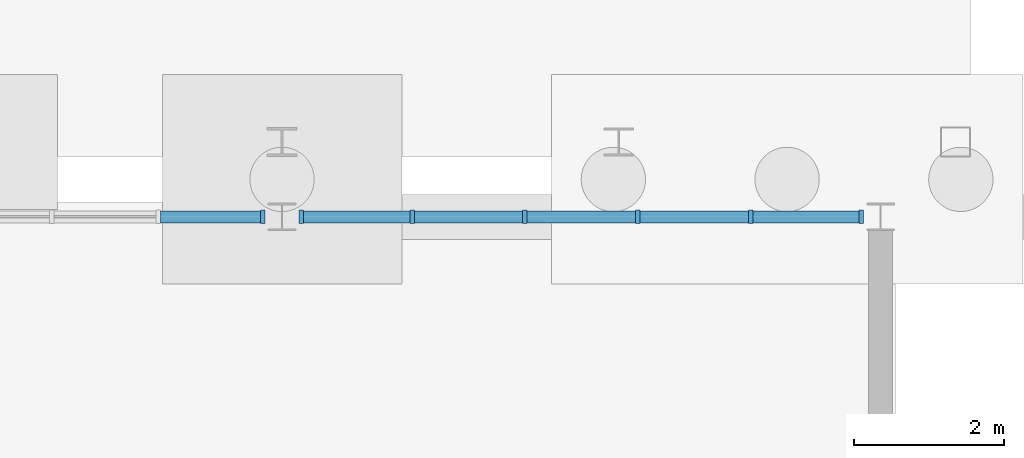
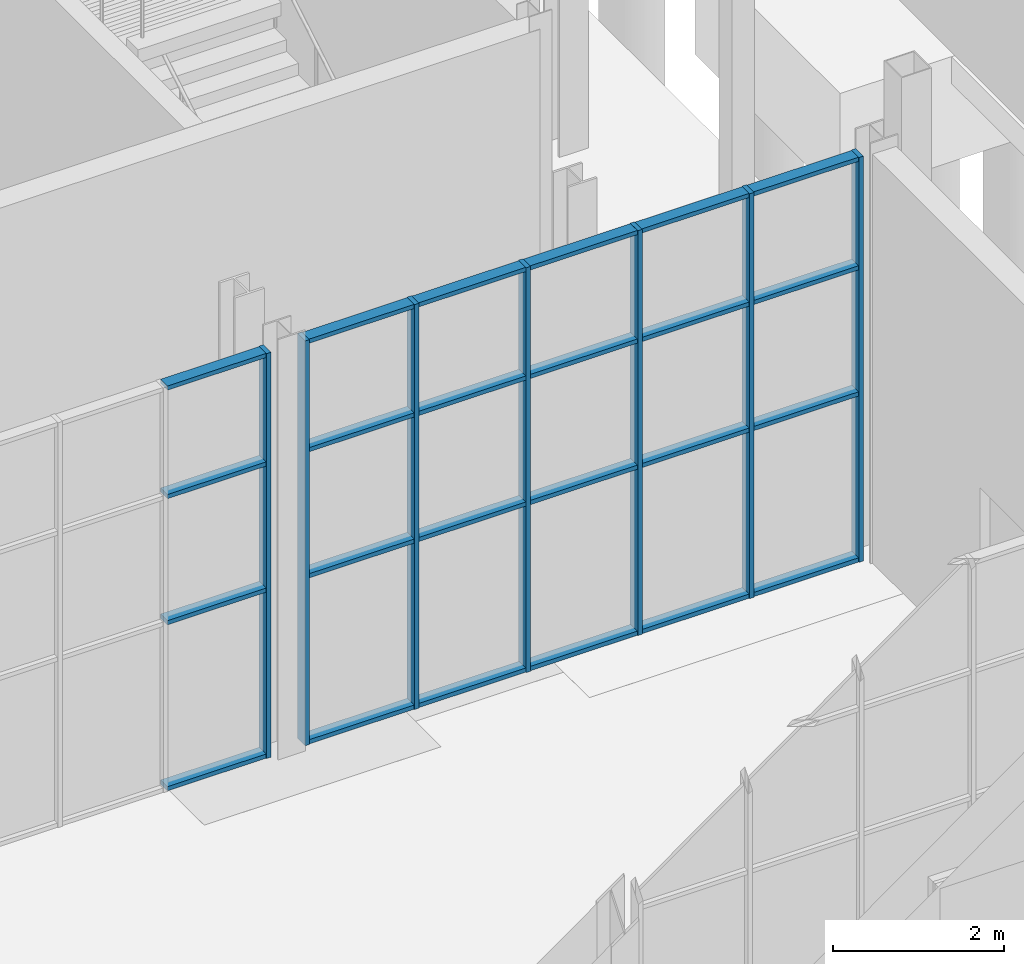
# One storey, part 66 of 131: 31 members, 2 elements without a shape of their own.
"""IFC4 building model written with IfcOpenShell, lengths in metres."""

from ifc_helpers import new_model, si_unit, direction, frame, origin, origin_2d, place, context, subcontext, project, spatial, rectangle, extrude, material, layer, layer_set, material_profile, profile_set, type_object, element, aggregate, save


model = new_model("IFC4")

# Units and contexts
model_context = context("Model", 3, precision=1e-05, world=origin(), true_north=direction((0.0, 1.0)))
body_context = subcontext(model_context, "Body", "Model", "MODEL_VIEW")
ifc_project = project(units=[si_unit("LENGTHUNIT", "METRE"), si_unit("AREAUNIT", "SQUARE_METRE"), si_unit("VOLUMEUNIT", "CUBIC_METRE"), si_unit("PLANEANGLEUNIT", "RADIAN"), si_unit("MASSUNIT", "GRAM", prefix="KILO")], contexts=[model_context])

# Site, building, storey
site_placement = place(None, origin())
site = spatial("IfcSite", under=ifc_project, at=site_placement, CompositionType="ELEMENT")
building_placement = place(site_placement, origin())
building = spatial("IfcBuilding", under=site, at=building_placement, Name="Cazmaro Siding Exhibition Halls", CompositionType="ELEMENT")
storey_placement = place(building_placement, origin())
storey = spatial("IfcBuildingStorey", under=building, at=storey_placement, Name="L00", CompositionType="ELEMENT", Elevation=0.0)

# Curtain wall, member
ifc_material_1 = material(Name="Anodized Bronze Aluminum and Solar-Control Low-E Glazing", Category="aluminium")
ifc_layer = layer(ifc_material_1, 0.179931640625)
ifc_layer_set = layer_set([ifc_layer], Name="Anodized Bronze Aluminum and Solar-Control Low-E Glazing")
curtain_wall_type = type_object("IfcCurtainWallType", Name="CWS-01", PredefinedType="USERDEFINED", material=ifc_layer_set)
curtain_wall_1_placement = place(storey_placement, origin())
curtain_wall_1 = element("IfcCurtainWall", 1, at=curtain_wall_1_placement, inside=storey, type_object=curtain_wall_type, Name="Glazed Curtain Wall CWS-01 CW-205", ObjectType="GLAZED CURTAIN WALL", PredefinedType="USERDEFINED")
ifc_material_2 = material(Name="Anodized Bronze Extruded Aluminum", Category="aluminium")
ifc_material_profile_1 = material_profile(ifc_material_2, rectangle(XDim=0.179931640625, YDim=0.06005859375, at=origin_2d()), Name="CWM-01")
ifc_profile_set_1 = profile_set([ifc_material_profile_1], Name="Anodized Bronze Extruded Aluminum")
member_type_1 = type_object("IfcMemberType", Name="CWM-01", PredefinedType="MULLION", material=ifc_profile_set_1)
member_1_placement = place(storey_placement, frame((161.739990234375, 63.0, 0.0), z_axis=(0.0, 0.0, 1.0), x_axis=(0.0, -1.0, 0.0)))
member_1 = element("IfcMember", 2, at=member_1_placement, type_object=member_type_1, Name="CWS-01 mullion 1", PredefinedType="MULLION", context=body_context, shape_type="SweptSolid", body=[
    extrude(rectangle(XDim=0.179931640625, YDim=0.06005859375, at=origin_2d()), origin(), (0.0, 0.0, 1.0), 5.780029296875),
])

# Curtain wall, members
curtain_wall_2_placement = place(storey_placement, origin())
curtain_wall_2 = element("IfcCurtainWall", 3, at=curtain_wall_2_placement, inside=storey, type_object=curtain_wall_type, Name="Glazed Curtain Wall CWS-01 CW-207", ObjectType="GLAZED CURTAIN WALL", PredefinedType="USERDEFINED")
member_2_placement = place(storey_placement, frame((169.739990234375, 63.0, 0.0), z_axis=(0.0, 0.0, 1.0), x_axis=(0.0, -1.0, 0.0)))
member_2 = element("IfcMember", 4, at=member_2_placement, type_object=member_type_1, Name="CWS-01 mullion 1", PredefinedType="MULLION", context=body_context, shape_type="SweptSolid", body=[
    extrude(rectangle(XDim=0.179931640625, YDim=0.06005859375, at=origin_2d()), origin(), (0.0, 0.0, 1.0), 5.780029296875),
])
member_3_placement = place(storey_placement, frame((168.261962890625, 63.0, 0.0), z_axis=(0.0, 0.0, 1.0), x_axis=(0.0, -1.0, 0.0)))
member_3 = element("IfcMember", 5, at=member_3_placement, type_object=member_type_1, Name="CWS-01 mullion 2", PredefinedType="MULLION", context=body_context, shape_type="SweptSolid", body=[
    extrude(rectangle(XDim=0.179931640625, YDim=0.06005859375, at=origin_2d()), origin(), (0.0, 0.0, 1.0), 5.780029296875),
])
member_4_placement = place(storey_placement, frame((166.75390625, 63.0, 0.0), z_axis=(0.0, 0.0, 1.0), x_axis=(0.0, -1.0, 0.0)))
member_4 = element("IfcMember", 6, at=member_4_placement, type_object=member_type_1, Name="CWS-01 mullion 3", PredefinedType="MULLION", context=body_context, shape_type="SweptSolid", body=[
    extrude(rectangle(XDim=0.179931640625, YDim=0.06005859375, at=origin_2d()), origin(), (0.0, 0.0, 1.0), 5.780029296875),
])
member_5_placement = place(storey_placement, frame((165.24609375, 63.0, 0.0), z_axis=(0.0, 0.0, 1.0), x_axis=(0.0, -1.0, 0.0)))
member_5 = element("IfcMember", 7, at=member_5_placement, type_object=member_type_1, Name="CWS-01 mullion 4", PredefinedType="MULLION", context=body_context, shape_type="SweptSolid", body=[
    extrude(rectangle(XDim=0.179931640625, YDim=0.06005859375, at=origin_2d()), origin(), (0.0, 0.0, 1.0), 5.780029296875),
])
member_6_placement = place(storey_placement, frame((163.738037109375, 63.0, 0.0), z_axis=(0.0, 0.0, 1.0), x_axis=(0.0, -1.0, 0.0)))
member_6 = element("IfcMember", 8, at=member_6_placement, type_object=member_type_1, Name="CWS-01 mullion 5", PredefinedType="MULLION", context=body_context, shape_type="SweptSolid", body=[
    extrude(rectangle(XDim=0.179931640625, YDim=0.06005859375, at=origin_2d()), origin(), (0.0, 0.0, 1.0), 5.780029296875),
])
member_7_placement = place(storey_placement, frame((162.260009765625, 63.0, 0.0), z_axis=(0.0, 0.0, 1.0), x_axis=(0.0, -1.0, 0.0)))
member_7 = element("IfcMember", 9, at=member_7_placement, type_object=member_type_1, Name="CWS-01 mullion 6", PredefinedType="MULLION", context=body_context, shape_type="SweptSolid", body=[
    extrude(rectangle(XDim=0.179931640625, YDim=0.06005859375, at=origin_2d()), origin(), (0.0, 0.0, 1.0), 5.780029296875),
])

# Member
ifc_material_3 = material(Name="Anodized Bronze Extruded Aluminum", Category="aluminium")
ifc_material_profile_2 = material_profile(ifc_material_3, rectangle(XDim=0.159912109375, YDim=0.06005859375, at=origin_2d()), Name="CWT-01")
ifc_profile_set_2 = profile_set([ifc_material_profile_2], Name="Anodized Bronze Extruded Aluminum")
member_type_2 = type_object("IfcMemberType", Name="CWT-01", PredefinedType="MULLION", material=ifc_profile_set_2)
member_8_placement = place(storey_placement, frame((161.7099609375, 63.0, 0.030029296875), z_axis=(-1.0, 0.0, 0.0), x_axis=(0.0, -1.0, 0.0)))
member_8 = element("IfcMember", 10, at=member_8_placement, type_object=member_type_2, Name="CWS-01 transom 1.1", ObjectType="TRANSOM", PredefinedType="USERDEFINED", context=body_context, shape_type="SweptSolid", body=[
    extrude(rectangle(XDim=0.159912109375, YDim=0.06005859375, at=origin_2d()), origin(), (0.0, 0.0, 1.0), 1.333251953125),
])

member_9_placement = place(storey_placement, frame((161.7099609375, 63.0, 2.39990234375), z_axis=(-1.0, 0.0, 0.0), x_axis=(0.0, -1.0, 0.0)))
member_9 = element("IfcMember", 11, at=member_9_placement, type_object=member_type_2, Name="CWS-01 transom 1.2", ObjectType="TRANSOM", PredefinedType="USERDEFINED", context=body_context, shape_type="SweptSolid", body=[
    extrude(rectangle(XDim=0.159912109375, YDim=0.06005859375, at=origin_2d()), origin(), (0.0, 0.0, 1.0), 1.333251953125),
])

member_10_placement = place(storey_placement, frame((161.7099609375, 63.0, 4.199951171875), z_axis=(-1.0, 0.0, 0.0), x_axis=(0.0, -1.0, 0.0)))
member_10 = element("IfcMember", 12, at=member_10_placement, type_object=member_type_2, Name="CWS-01 transom 1.3", ObjectType="TRANSOM", PredefinedType="USERDEFINED", context=body_context, shape_type="SweptSolid", body=[
    extrude(rectangle(XDim=0.159912109375, YDim=0.06005859375, at=origin_2d()), origin(), (0.0, 0.0, 1.0), 1.333251953125),
])

member_11_placement = place(storey_placement, frame((161.7099609375, 63.0, 5.75), z_axis=(-1.0, 0.0, 0.0), x_axis=(0.0, -1.0, 0.0)))
member_11 = element("IfcMember", 13, at=member_11_placement, type_object=member_type_2, Name="CWS-01 transom 1.4", ObjectType="TRANSOM", PredefinedType="USERDEFINED", context=body_context, shape_type="SweptSolid", body=[
    extrude(rectangle(XDim=0.159912109375, YDim=0.06005859375, at=origin_2d()), origin(), (0.0, 0.0, 1.0), 1.333251953125),
])

aggregate(curtain_wall_1, [member_1, member_8, member_9, member_10, member_11])

member_12_placement = place(storey_placement, frame((169.7099609375, 63.0, 0.030029296875), z_axis=(-1.0, 0.0, 0.0), x_axis=(0.0, -1.0, 0.0)))
member_12 = element("IfcMember", 14, at=member_12_placement, type_object=member_type_2, Name="CWS-01 transom 1.1", ObjectType="TRANSOM", PredefinedType="USERDEFINED", context=body_context, shape_type="SweptSolid", body=[
    extrude(rectangle(XDim=0.159912109375, YDim=0.06005859375, at=origin_2d()), origin(), (0.0, 0.0, 1.0), 1.41796875),
])

member_13_placement = place(storey_placement, frame((169.7099609375, 63.0, 2.39990234375), z_axis=(-1.0, 0.0, 0.0), x_axis=(0.0, -1.0, 0.0)))
member_13 = element("IfcMember", 15, at=member_13_placement, type_object=member_type_2, Name="CWS-01 transom 1.2", ObjectType="TRANSOM", PredefinedType="USERDEFINED", context=body_context, shape_type="SweptSolid", body=[
    extrude(rectangle(XDim=0.159912109375, YDim=0.06005859375, at=origin_2d()), origin(), (0.0, 0.0, 1.0), 1.41796875),
])

member_14_placement = place(storey_placement, frame((169.7099609375, 63.0, 4.199951171875), z_axis=(-1.0, 0.0, 0.0), x_axis=(0.0, -1.0, 0.0)))
member_14 = element("IfcMember", 16, at=member_14_placement, type_object=member_type_2, Name="CWS-01 transom 1.3", ObjectType="TRANSOM", PredefinedType="USERDEFINED", context=body_context, shape_type="SweptSolid", body=[
    extrude(rectangle(XDim=0.159912109375, YDim=0.06005859375, at=origin_2d()), origin(), (0.0, 0.0, 1.0), 1.41796875),
])

member_15_placement = place(storey_placement, frame((169.7099609375, 63.0, 5.75), z_axis=(-1.0, 0.0, 0.0), x_axis=(0.0, -1.0, 0.0)))
member_15 = element("IfcMember", 17, at=member_15_placement, type_object=member_type_2, Name="CWS-01 transom 1.4", ObjectType="TRANSOM", PredefinedType="USERDEFINED", context=body_context, shape_type="SweptSolid", body=[
    extrude(rectangle(XDim=0.159912109375, YDim=0.06005859375, at=origin_2d()), origin(), (0.0, 0.0, 1.0), 1.41796875),
])

member_16_placement = place(storey_placement, frame((168.23193359375, 63.0, 0.030029296875), z_axis=(-1.0, 0.0, 0.0), x_axis=(0.0, -1.0, 0.0)))
member_16 = element("IfcMember", 18, at=member_16_placement, type_object=member_type_2, Name="CWS-01 transom 2.1", ObjectType="TRANSOM", PredefinedType="USERDEFINED", context=body_context, shape_type="SweptSolid", body=[
    extrude(rectangle(XDim=0.159912109375, YDim=0.06005859375, at=origin_2d()), origin(), (0.0, 0.0, 1.0), 1.447998046875),
])

member_17_placement = place(storey_placement, frame((168.23193359375, 63.0, 2.39990234375), z_axis=(-1.0, 0.0, 0.0), x_axis=(0.0, -1.0, 0.0)))
member_17 = element("IfcMember", 19, at=member_17_placement, type_object=member_type_2, Name="CWS-01 transom 2.2", ObjectType="TRANSOM", PredefinedType="USERDEFINED", context=body_context, shape_type="SweptSolid", body=[
    extrude(rectangle(XDim=0.159912109375, YDim=0.06005859375, at=origin_2d()), origin(), (0.0, 0.0, 1.0), 1.447998046875),
])

member_18_placement = place(storey_placement, frame((168.23193359375, 63.0, 4.199951171875), z_axis=(-1.0, 0.0, 0.0), x_axis=(0.0, -1.0, 0.0)))
member_18 = element("IfcMember", 20, at=member_18_placement, type_object=member_type_2, Name="CWS-01 transom 2.3", ObjectType="TRANSOM", PredefinedType="USERDEFINED", context=body_context, shape_type="SweptSolid", body=[
    extrude(rectangle(XDim=0.159912109375, YDim=0.06005859375, at=origin_2d()), origin(), (0.0, 0.0, 1.0), 1.447998046875),
])

member_19_placement = place(storey_placement, frame((168.23193359375, 63.0, 5.75), z_axis=(-1.0, 0.0, 0.0), x_axis=(0.0, -1.0, 0.0)))
member_19 = element("IfcMember", 21, at=member_19_placement, type_object=member_type_2, Name="CWS-01 transom 2.4", ObjectType="TRANSOM", PredefinedType="USERDEFINED", context=body_context, shape_type="SweptSolid", body=[
    extrude(rectangle(XDim=0.159912109375, YDim=0.06005859375, at=origin_2d()), origin(), (0.0, 0.0, 1.0), 1.447998046875),
])

member_20_placement = place(storey_placement, frame((166.72412109375, 63.0, 0.030029296875), z_axis=(-1.0, 0.0, 0.0), x_axis=(0.0, -1.0, 0.0)))
member_20 = element("IfcMember", 22, at=member_20_placement, type_object=member_type_2, Name="CWS-01 transom 3.1", ObjectType="TRANSOM", PredefinedType="USERDEFINED", context=body_context, shape_type="SweptSolid", body=[
    extrude(rectangle(XDim=0.159912109375, YDim=0.06005859375, at=origin_2d()), origin(), (0.0, 0.0, 1.0), 1.4482421875),
])

member_21_placement = place(storey_placement, frame((166.72412109375, 63.0, 2.39990234375), z_axis=(-1.0, 0.0, 0.0), x_axis=(0.0, -1.0, 0.0)))
member_21 = element("IfcMember", 23, at=member_21_placement, type_object=member_type_2, Name="CWS-01 transom 3.2", ObjectType="TRANSOM", PredefinedType="USERDEFINED", context=body_context, shape_type="SweptSolid", body=[
    extrude(rectangle(XDim=0.159912109375, YDim=0.06005859375, at=origin_2d()), origin(), (0.0, 0.0, 1.0), 1.4482421875),
])

member_22_placement = place(storey_placement, frame((166.72412109375, 63.0, 4.199951171875), z_axis=(-1.0, 0.0, 0.0), x_axis=(0.0, -1.0, 0.0)))
member_22 = element("IfcMember", 24, at=member_22_placement, type_object=member_type_2, Name="CWS-01 transom 3.3", ObjectType="TRANSOM", PredefinedType="USERDEFINED", context=body_context, shape_type="SweptSolid", body=[
    extrude(rectangle(XDim=0.159912109375, YDim=0.06005859375, at=origin_2d()), origin(), (0.0, 0.0, 1.0), 1.4482421875),
])

member_23_placement = place(storey_placement, frame((166.72412109375, 63.0, 5.75), z_axis=(-1.0, 0.0, 0.0), x_axis=(0.0, -1.0, 0.0)))
member_23 = element("IfcMember", 25, at=member_23_placement, type_object=member_type_2, Name="CWS-01 transom 3.4", ObjectType="TRANSOM", PredefinedType="USERDEFINED", context=body_context, shape_type="SweptSolid", body=[
    extrude(rectangle(XDim=0.159912109375, YDim=0.06005859375, at=origin_2d()), origin(), (0.0, 0.0, 1.0), 1.4482421875),
])

member_24_placement = place(storey_placement, frame((165.216064453125, 63.0, 0.030029296875), z_axis=(-1.0, 0.0, 0.0), x_axis=(0.0, -1.0, 0.0)))
member_24 = element("IfcMember", 26, at=member_24_placement, type_object=member_type_2, Name="CWS-01 transom 4.1", ObjectType="TRANSOM", PredefinedType="USERDEFINED", context=body_context, shape_type="SweptSolid", body=[
    extrude(rectangle(XDim=0.159912109375, YDim=0.06005859375, at=origin_2d()), origin(), (0.0, 0.0, 1.0), 1.447998046875),
])

member_25_placement = place(storey_placement, frame((165.216064453125, 63.0, 2.39990234375), z_axis=(-1.0, 0.0, 0.0), x_axis=(0.0, -1.0, 0.0)))
member_25 = element("IfcMember", 27, at=member_25_placement, type_object=member_type_2, Name="CWS-01 transom 4.2", ObjectType="TRANSOM", PredefinedType="USERDEFINED", context=body_context, shape_type="SweptSolid", body=[
    extrude(rectangle(XDim=0.159912109375, YDim=0.06005859375, at=origin_2d()), origin(), (0.0, 0.0, 1.0), 1.447998046875),
])

member_26_placement = place(storey_placement, frame((165.216064453125, 63.0, 4.199951171875), z_axis=(-1.0, 0.0, 0.0), x_axis=(0.0, -1.0, 0.0)))
member_26 = element("IfcMember", 28, at=member_26_placement, type_object=member_type_2, Name="CWS-01 transom 4.3", ObjectType="TRANSOM", PredefinedType="USERDEFINED", context=body_context, shape_type="SweptSolid", body=[
    extrude(rectangle(XDim=0.159912109375, YDim=0.06005859375, at=origin_2d()), origin(), (0.0, 0.0, 1.0), 1.447998046875),
])

member_27_placement = place(storey_placement, frame((165.216064453125, 63.0, 5.75), z_axis=(-1.0, 0.0, 0.0), x_axis=(0.0, -1.0, 0.0)))
member_27 = element("IfcMember", 29, at=member_27_placement, type_object=member_type_2, Name="CWS-01 transom 4.4", ObjectType="TRANSOM", PredefinedType="USERDEFINED", context=body_context, shape_type="SweptSolid", body=[
    extrude(rectangle(XDim=0.159912109375, YDim=0.06005859375, at=origin_2d()), origin(), (0.0, 0.0, 1.0), 1.447998046875),
])

member_28_placement = place(storey_placement, frame((163.7080078125, 63.0, 0.030029296875), z_axis=(-1.0, 0.0, 0.0), x_axis=(0.0, -1.0, 0.0)))
member_28 = element("IfcMember", 30, at=member_28_placement, type_object=member_type_2, Name="CWS-01 transom 5.1", ObjectType="TRANSOM", PredefinedType="USERDEFINED", context=body_context, shape_type="SweptSolid", body=[
    extrude(rectangle(XDim=0.159912109375, YDim=0.06005859375, at=origin_2d()), origin(), (0.0, 0.0, 1.0), 1.41796875),
])

member_29_placement = place(storey_placement, frame((163.7080078125, 63.0, 2.39990234375), z_axis=(-1.0, 0.0, 0.0), x_axis=(0.0, -1.0, 0.0)))
member_29 = element("IfcMember", 31, at=member_29_placement, type_object=member_type_2, Name="CWS-01 transom 5.2", ObjectType="TRANSOM", PredefinedType="USERDEFINED", context=body_context, shape_type="SweptSolid", body=[
    extrude(rectangle(XDim=0.159912109375, YDim=0.06005859375, at=origin_2d()), origin(), (0.0, 0.0, 1.0), 1.41796875),
])

member_30_placement = place(storey_placement, frame((163.7080078125, 63.0, 4.199951171875), z_axis=(-1.0, 0.0, 0.0), x_axis=(0.0, -1.0, 0.0)))
member_30 = element("IfcMember", 32, at=member_30_placement, type_object=member_type_2, Name="CWS-01 transom 5.3", ObjectType="TRANSOM", PredefinedType="USERDEFINED", context=body_context, shape_type="SweptSolid", body=[
    extrude(rectangle(XDim=0.159912109375, YDim=0.06005859375, at=origin_2d()), origin(), (0.0, 0.0, 1.0), 1.41796875),
])

member_31_placement = place(storey_placement, frame((163.7080078125, 63.0, 5.75), z_axis=(-1.0, 0.0, 0.0), x_axis=(0.0, -1.0, 0.0)))
member_31 = element("IfcMember", 33, at=member_31_placement, type_object=member_type_2, Name="CWS-01 transom 5.4", ObjectType="TRANSOM", PredefinedType="USERDEFINED", context=body_context, shape_type="SweptSolid", body=[
    extrude(rectangle(XDim=0.159912109375, YDim=0.06005859375, at=origin_2d()), origin(), (0.0, 0.0, 1.0), 1.41796875),
])

aggregate(curtain_wall_2, [member_2, member_3, member_4, member_5, member_6, member_7, member_12, member_13, member_14, member_15, member_16, member_17, member_18, member_19, member_20, member_21, member_22, member_23, member_24, member_25, member_26, member_27, member_28, member_29, member_30, member_31])

save(model, "model.ifc")
